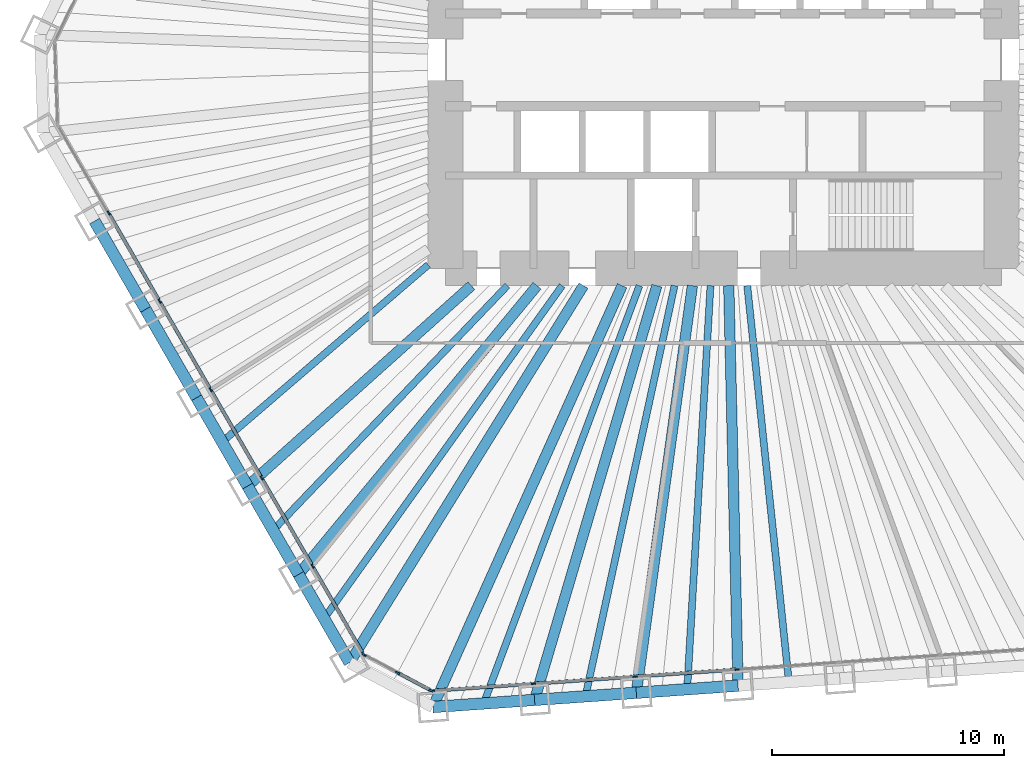
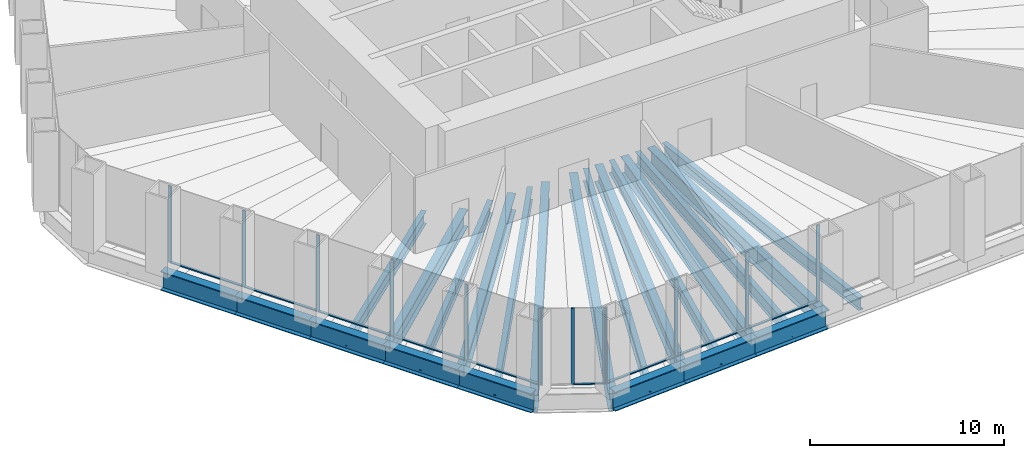
# One storey, part 2 of 13: 22 beams, 22 members, 3 elements without a shape of their own.
"""IFC4 building model written with IfcOpenShell, lengths in metres."""

from ifc_helpers import new_model, si_unit, direction, frame, origin, origin_2d, place, context, subcontext, project, spatial, rectangle, i_section, extrude, material, material_profile, profile_set, type_object, element, aggregate, save


model = new_model("IFC4")

# Units and contexts
model_context = context("Model", 3, precision=1e-05, world=origin(), true_north=direction((0.0, 1.0)))
body_context = subcontext(model_context, "Body", "Model", "MODEL_VIEW")
ifc_project = project(units=[si_unit("LENGTHUNIT", "METRE"), si_unit("AREAUNIT", "SQUARE_METRE"), si_unit("VOLUMEUNIT", "CUBIC_METRE"), si_unit("PLANEANGLEUNIT", "RADIAN"), si_unit("MASSUNIT", "GRAM", prefix="KILO")], contexts=[model_context])

# Site, building, storey
site_placement = place(None, origin())
site = spatial("IfcSite", under=ifc_project, at=site_placement, CompositionType="ELEMENT")
building_placement = place(site_placement, origin())
building = spatial("IfcBuilding", under=site, at=building_placement, Name="Qingtian Harvest Tower", CompositionType="ELEMENT")
storey_placement = place(building_placement, frame((0.0, 0.0, 87.0)))
storey = spatial("IfcBuildingStorey", under=building, at=storey_placement, Name="L17", CompositionType="ELEMENT", Elevation=87.0)

# Beams
ifc_material_1 = material(Name="Steel SM570MC", Category="steel")
ifc_material_profile_1 = material_profile(ifc_material_1, i_section(OverallWidth=0.449951171875, OverallDepth=1.10009765625, WebThickness=0.02197265625, FlangeThickness=0.044921875, at=origin_2d()), Name="H1100x450x22x45")
ifc_profile_set_1 = profile_set([ifc_material_profile_1], Name="Steel SM570MC")
beam_type_1 = type_object("IfcBeamType", Name="Corner floor beam FB8 H1100x450x22x45", PredefinedType="BEAM", material=ifc_profile_set_1)
beam_1_placement = place(storey_placement, frame((-12.552734375, -27.943603515625, -0.75), z_axis=(0.409769605538, 0.912189054077, 0.0), x_axis=(-0.912189054077, 0.409769605538, 0.0)))
element("IfcBeam", 1, at=beam_1_placement, inside=storey, type_object=beam_type_1, Name="Floor beam FB8 S6", PredefinedType="BEAM", context=body_context, shape_type="SweptSolid", body=[
    extrude(i_section(OverallWidth=0.449951171875, OverallDepth=1.10009765625, WebThickness=0.02197265625, FlangeThickness=0.044921875, at=origin_2d()), origin(), (0.0, 0.0, 1.0), 19.945068359375),
])
beam_2_placement = place(storey_placement, frame((-16.14697265625, -26.03271484375, -0.75), z_axis=(0.5270935495, 0.849807266429, 0.0), x_axis=(-0.849807266429, 0.5270935495, 0.0)))
element("IfcBeam", 2, at=beam_2_placement, inside=storey, type_object=beam_type_1, Name="Floor beam FB8 SW0", PredefinedType="BEAM", context=body_context, shape_type="SweptSolid", body=[
    extrude(i_section(OverallWidth=0.449951171875, OverallDepth=1.10009765625, WebThickness=0.02197265625, FlangeThickness=0.044921875, at=origin_2d()), origin(), (0.0, 0.0, 1.0), 19.160400390625),
])
ifc_material_2 = material(Name="Steel SM570MC", Category="steel")
ifc_material_profile_2 = material_profile(ifc_material_2, i_section(OverallWidth=0.449951171875, OverallDepth=1.10009765625, WebThickness=0.02197265625, FlangeThickness=0.044921875, at=origin_2d()), Name="H1100x450x22x45")
ifc_profile_set_2 = profile_set([ifc_material_profile_2], Name="Steel SM570MC")
beam_type_2 = type_object("IfcBeamType", Name="Floor beam FB1 H1100x450x22x45", PredefinedType="BEAM", material=ifc_profile_set_2)
beam_3_placement = place(storey_placement, frame((0.62890625, -27.02197265625, -0.75), z_axis=(-0.023274161941, 0.999729120005, 0.0), x_axis=(-0.999729120005, -0.023274161941, 0.0)))
element("IfcBeam", 3, at=beam_3_placement, inside=storey, type_object=beam_type_2, Name="Floor beam FB1 S3", PredefinedType="BEAM", context=body_context, shape_type="SweptSolid", body=[
    extrude(i_section(OverallWidth=0.449951171875, OverallDepth=1.10009765625, WebThickness=0.02197265625, FlangeThickness=0.044921875, at=origin_2d()), origin(), (0.0, 0.0, 1.0), 17.276611328125),
])
beam_4_placement = place(storey_placement, frame((-3.76513671875, -27.3291015625, -0.75), z_axis=(0.136480966577, 0.990642693287, 0.0), x_axis=(-0.990642693287, 0.136480966577, 0.0)))
element("IfcBeam", 4, at=beam_4_placement, inside=storey, type_object=beam_type_2, Name="Floor beam FB1 S4", PredefinedType="BEAM", context=body_context, shape_type="SweptSolid", body=[
    extrude(i_section(OverallWidth=0.449951171875, OverallDepth=1.10009765625, WebThickness=0.02197265625, FlangeThickness=0.044921875, at=origin_2d()), origin(), (0.0, 0.0, 1.0), 17.7451171875),
])
beam_5_placement = place(storey_placement, frame((-8.158935546875, -27.636474609375, -0.75), z_axis=(0.283142824758, 0.95907775534, 0.0), x_axis=(-0.95907775534, 0.283142824758, 0.0)))
element("IfcBeam", 5, at=beam_5_placement, inside=storey, type_object=beam_type_2, Name="Floor beam FB1 S5", PredefinedType="BEAM", context=body_context, shape_type="SweptSolid", body=[
    extrude(i_section(OverallWidth=0.449951171875, OverallDepth=1.10009765625, WebThickness=0.02197265625, FlangeThickness=0.044921875, at=origin_2d()), origin(), (0.0, 0.0, 1.0), 18.649658203125),
])
beam_6_placement = place(storey_placement, frame((-18.349365234375, -22.21826171875, -0.75), z_axis=(0.636780387972, 0.771045224026, 0.0), x_axis=(-0.771045224026, 0.636780387972, 0.0)))
element("IfcBeam", 6, at=beam_6_placement, inside=storey, type_object=beam_type_2, Name="Floor beam FB1 SW1", PredefinedType="BEAM", context=body_context, shape_type="SweptSolid", body=[
    extrude(i_section(OverallWidth=0.449951171875, OverallDepth=1.10009765625, WebThickness=0.02197265625, FlangeThickness=0.044921875, at=origin_2d()), origin(), (0.0, 0.0, 1.0), 16.170654296875),
])
beam_7_placement = place(storey_placement, frame((-20.551513671875, -18.403564453125, -0.75), z_axis=(0.744965104975, 0.667103434536, 0.0), x_axis=(-0.667103434536, 0.744965104975, 0.0)))
element("IfcBeam", 7, at=beam_7_placement, inside=storey, type_object=beam_type_2, Name="Floor beam FB1 SW2", PredefinedType="BEAM", context=body_context, shape_type="SweptSolid", body=[
    extrude(i_section(OverallWidth=0.449951171875, OverallDepth=1.10009765625, WebThickness=0.02197265625, FlangeThickness=0.044921875, at=origin_2d()), origin(), (0.0, 0.0, 1.0), 12.971923828125),
])
ifc_material_3 = material(Name="Steel SN490B", Category="steel")
ifc_material_profile_3 = material_profile(ifc_material_3, i_section(OverallWidth=0.300048828125, OverallDepth=0.800048828125, WebThickness=0.013916015625, FlangeThickness=0.02587890625, at=origin_2d()), Name="H800x300x14x26")
ifc_profile_set_3 = profile_set([ifc_material_profile_3], Name="Steel SN490B")
beam_type_3 = type_object("IfcBeamType", Name="Floor joist J1 H800x300x14x26", PredefinedType="JOIST", material=ifc_profile_set_3)
beam_8_placement = place(storey_placement, frame((2.82568359375, -26.868408203125, -0.60009765625), z_axis=(-0.104590278152, 0.99451539642, 0.0), x_axis=(-0.99451539642, -0.104590278152, 0.0)))
element("IfcBeam", 8, at=beam_8_placement, inside=storey, type_object=beam_type_3, Name="Floor joist J1 S2", PredefinedType="JOIST", context=body_context, shape_type="SweptSolid", body=[
    extrude(i_section(OverallWidth=0.300048828125, OverallDepth=0.800048828125, WebThickness=0.013916015625, FlangeThickness=0.02587890625, at=origin_2d()), origin(), (0.0, 0.0, 1.0), 17.212890625),
])
beam_9_placement = place(storey_placement, frame((-1.568115234375, -27.175537109375, -0.60009765625), z_axis=(0.057613424947, 0.998338967118, 0.0), x_axis=(-0.998338967118, 0.057613424947, 0.0)))
element("IfcBeam", 9, at=beam_9_placement, inside=storey, type_object=beam_type_3, Name="Floor joist J1 S3", PredefinedType="JOIST", context=body_context, shape_type="SweptSolid", body=[
    extrude(i_section(OverallWidth=0.300048828125, OverallDepth=0.800048828125, WebThickness=0.013916015625, FlangeThickness=0.02587890625, at=origin_2d()), origin(), (0.0, 0.0, 1.0), 17.45458984375),
])
beam_10_placement = place(storey_placement, frame((-5.9619140625, -27.48291015625, -0.60009765625), z_axis=(0.211992805661, 0.977271226604, 0.0), x_axis=(-0.977271226604, 0.211992805661, 0.0)))
element("IfcBeam", 10, at=beam_10_placement, inside=storey, type_object=beam_type_3, Name="Floor joist J1 S4", PredefinedType="JOIST", context=body_context, shape_type="SweptSolid", body=[
    extrude(i_section(OverallWidth=0.300048828125, OverallDepth=0.800048828125, WebThickness=0.013916015625, FlangeThickness=0.02587890625, at=origin_2d()), origin(), (0.0, 0.0, 1.0), 18.145263671875),
])
beam_11_placement = place(storey_placement, frame((-10.35595703125, -27.7900390625, -0.60009765625), z_axis=(0.349193741063, 0.937050548905, 0.0), x_axis=(-0.937050548905, 0.349193741063, 0.0)))
element("IfcBeam", 11, at=beam_11_placement, inside=storey, type_object=beam_type_3, Name="Floor joist J1 S5", PredefinedType="JOIST", context=body_context, shape_type="SweptSolid", body=[
    extrude(i_section(OverallWidth=0.300048828125, OverallDepth=0.800048828125, WebThickness=0.013916015625, FlangeThickness=0.02587890625, at=origin_2d()), origin(), (0.0, 0.0, 1.0), 19.251953125),
])
beam_12_placement = place(storey_placement, frame((-17.248046875, -24.12548828125, -0.60009765625), z_axis=(0.581580544546, 0.81348882611, 0.0), x_axis=(-0.81348882611, 0.581580544546, 0.0)))
element("IfcBeam", 12, at=beam_12_placement, inside=storey, type_object=beam_type_3, Name="Floor joist J1 SW0", PredefinedType="JOIST", context=body_context, shape_type="SweptSolid", body=[
    extrude(i_section(OverallWidth=0.300048828125, OverallDepth=0.800048828125, WebThickness=0.013916015625, FlangeThickness=0.02587890625, at=origin_2d()), origin(), (0.0, 0.0, 1.0), 17.67138671875),
])
beam_13_placement = place(storey_placement, frame((-19.450439453125, -20.31103515625, -0.60009765625), z_axis=(0.691639144398, 0.722243237377, 0.0), x_axis=(-0.722243237377, 0.691639144398, 0.0)))
element("IfcBeam", 13, at=beam_13_placement, inside=storey, type_object=beam_type_3, Name="Floor joist J1 SW1", PredefinedType="JOIST", context=body_context, shape_type="SweptSolid", body=[
    extrude(i_section(OverallWidth=0.300048828125, OverallDepth=0.800048828125, WebThickness=0.013916015625, FlangeThickness=0.02587890625, at=origin_2d()), origin(), (0.0, 0.0, 1.0), 14.62255859375),
])
beam_14_placement = place(storey_placement, frame((-21.652587890625, -16.496337890625, -0.60009765625), z_axis=(0.758605680154, 0.651550014994, 0.0), x_axis=(-0.651550014994, 0.758605680154, 0.0)))
element("IfcBeam", 14, at=beam_14_placement, inside=storey, type_object=beam_type_3, Name="Floor joist J1 SW2", PredefinedType="JOIST", context=body_context, shape_type="SweptSolid", body=[
    extrude(i_section(OverallWidth=0.300048828125, OverallDepth=0.800048828125, WebThickness=0.013916015625, FlangeThickness=0.02587890625, at=origin_2d()), origin(), (0.0, 0.0, 1.0), 11.7353515625),
])

# Curtain wall, members
ifc_material_4 = material(Name="Bronze-anodised aluminium curtain wall", Category="aluminium")
curtain_wall_type = type_object("IfcCurtainWallType", Name="Curtain wall CW2 farm reception", PredefinedType="USERDEFINED", material=ifc_material_4)
curtain_wall_1_placement = place(storey_placement, origin())
curtain_wall_1 = element("IfcCurtainWall", 15, at=curtain_wall_1_placement, inside=storey, type_object=curtain_wall_type, Name="Curtain wall CW2 L17 S0-5", ObjectType="RECESSED CURTAIN WALL", PredefinedType="USERDEFINED")
ifc_material_5 = material(Name="Bronze-anodised aluminium mullion", Category="aluminium")
ifc_material_profile_4 = material_profile(ifc_material_5, rectangle(XDim=0.06494140625, YDim=0.199951171875, at=origin_2d()), Name="AL 65x200")
ifc_profile_set_4 = profile_set([ifc_material_profile_4], Name="Bronze-anodised aluminium mullion")
member_type_1 = type_object("IfcMemberType", Name="Mullion CWM 65x200", PredefinedType="MULLION", material=ifc_profile_set_4)
member_1_placement = place(storey_placement, frame((0.580078125, -26.32373046875, 0.0), z_axis=(0.0, 0.0, 1.0), x_axis=(0.069756473744, -0.99756405026, 0.0)))
member_1 = element("IfcMember", 16, at=member_1_placement, type_object=member_type_1, Name="CW2 mullion 4", PredefinedType="MULLION", context=body_context, shape_type="SweptSolid", body=[
    extrude(rectangle(XDim=0.06494140625, YDim=0.199951171875, at=origin_2d()), origin(), (0.0, 0.0, 1.0), 4.800048828125),
])
member_2_placement = place(storey_placement, frame((-3.81396484375, -26.630859375, 0.0), z_axis=(0.0, 0.0, 1.0), x_axis=(0.069756473744, -0.99756405026, 0.0)))
member_2 = element("IfcMember", 17, at=member_2_placement, type_object=member_type_1, Name="CW2 mullion 5", PredefinedType="MULLION", context=body_context, shape_type="SweptSolid", body=[
    extrude(rectangle(XDim=0.06494140625, YDim=0.199951171875, at=origin_2d()), origin(), (0.0, 0.0, 1.0), 4.800048828125),
])
member_3_placement = place(storey_placement, frame((-8.207763671875, -26.938232421875, 0.0), z_axis=(0.0, 0.0, 1.0), x_axis=(0.069756473744, -0.99756405026, 0.0)))
member_3 = element("IfcMember", 18, at=member_3_placement, type_object=member_type_1, Name="CW2 mullion 6", PredefinedType="MULLION", context=body_context, shape_type="SweptSolid", body=[
    extrude(rectangle(XDim=0.06494140625, YDim=0.199951171875, at=origin_2d()), origin(), (0.0, 0.0, 1.0), 4.800048828125),
])
member_4_placement = place(storey_placement, frame((-12.569091796875, -27.2431640625, 0.0), z_axis=(0.0, 0.0, 1.0), x_axis=(0.069756473744, -0.99756405026, 0.0)))
member_4 = element("IfcMember", 19, at=member_4_placement, type_object=member_type_1, Name="CW2 mullion 7", PredefinedType="MULLION", context=body_context, shape_type="SweptSolid", body=[
    extrude(rectangle(XDim=0.06494140625, YDim=0.199951171875, at=origin_2d()), origin(), (0.0, 0.0, 1.0), 4.800048828125),
])

curtain_wall_2_placement = place(storey_placement, origin())
curtain_wall_2 = element("IfcCurtainWall", 20, at=curtain_wall_2_placement, inside=storey, type_object=curtain_wall_type, Name="Curtain wall CW2 L17 SC", ObjectType="RECESSED CURTAIN WALL", PredefinedType="USERDEFINED")
member_5_placement = place(storey_placement, frame((-12.63037109375, -27.230224609375, 0.0), z_axis=(0.0, 0.0, 1.0), x_axis=(-0.469471562786, -0.882947592859, 0.0)))
member_5 = element("IfcMember", 21, at=member_5_placement, type_object=member_type_1, Name="CW2 mullion 1", PredefinedType="MULLION", context=body_context, shape_type="SweptSolid", body=[
    extrude(rectangle(XDim=0.06494140625, YDim=0.199951171875, at=origin_2d()), origin(), (0.0, 0.0, 1.0), 4.800048828125),
])
member_6_placement = place(storey_placement, frame((-14.0712890625, -26.464111328125, 0.0), z_axis=(0.0, 0.0, 1.0), x_axis=(-0.469471562786, -0.882947592859, 0.0)))
member_6 = element("IfcMember", 22, at=member_6_placement, type_object=member_type_1, Name="CW2 mullion 2", PredefinedType="MULLION", context=body_context, shape_type="SweptSolid", body=[
    extrude(rectangle(XDim=0.06494140625, YDim=0.199951171875, at=origin_2d()), origin(), (0.0, 0.0, 1.0), 4.800048828125),
])
member_7_placement = place(storey_placement, frame((-15.511962890625, -25.697998046875, 0.0), z_axis=(0.0, 0.0, 1.0), x_axis=(-0.469471562786, -0.882947592859, 0.0)))
member_7 = element("IfcMember", 23, at=member_7_placement, type_object=member_type_1, Name="CW2 mullion 3", PredefinedType="MULLION", context=body_context, shape_type="SweptSolid", body=[
    extrude(rectangle(XDim=0.06494140625, YDim=0.199951171875, at=origin_2d()), origin(), (0.0, 0.0, 1.0), 4.800048828125),
])

curtain_wall_3_placement = place(storey_placement, origin())
curtain_wall_3 = element("IfcCurtainWall", 24, at=curtain_wall_3_placement, inside=storey, type_object=curtain_wall_type, Name="Curtain wall CW2 L17 SW0-5", ObjectType="RECESSED CURTAIN WALL", PredefinedType="USERDEFINED")
member_8_placement = place(storey_placement, frame((-15.556884765625, -25.654541015625, 0.0), z_axis=(0.0, 0.0, 1.0), x_axis=(-0.866025403784, -0.5, 0.0)))
member_8 = element("IfcMember", 25, at=member_8_placement, type_object=member_type_1, Name="CW2 mullion 1", PredefinedType="MULLION", context=body_context, shape_type="SweptSolid", body=[
    extrude(rectangle(XDim=0.06494140625, YDim=0.199951171875, at=origin_2d()), origin(), (0.0, 0.0, 1.0), 4.800048828125),
])
member_9_placement = place(storey_placement, frame((-17.742919921875, -21.8681640625, 0.0), z_axis=(0.0, 0.0, 1.0), x_axis=(-0.866025403784, -0.5, 0.0)))
member_9 = element("IfcMember", 26, at=member_9_placement, type_object=member_type_1, Name="CW2 mullion 2", PredefinedType="MULLION", context=body_context, shape_type="SweptSolid", body=[
    extrude(rectangle(XDim=0.06494140625, YDim=0.199951171875, at=origin_2d()), origin(), (0.0, 0.0, 1.0), 4.800048828125),
])
member_10_placement = place(storey_placement, frame((-19.9453125, -18.0537109375, 0.0), z_axis=(0.0, 0.0, 1.0), x_axis=(-0.866025403784, -0.5, 0.0)))
member_10 = element("IfcMember", 27, at=member_10_placement, type_object=member_type_1, Name="CW2 mullion 3", PredefinedType="MULLION", context=body_context, shape_type="SweptSolid", body=[
    extrude(rectangle(XDim=0.06494140625, YDim=0.199951171875, at=origin_2d()), origin(), (0.0, 0.0, 1.0), 4.800048828125),
])
member_11_placement = place(storey_placement, frame((-22.147705078125, -14.2392578125, 0.0), z_axis=(0.0, 0.0, 1.0), x_axis=(-0.866025403784, -0.5, 0.0)))
member_11 = element("IfcMember", 28, at=member_11_placement, type_object=member_type_1, Name="CW2 mullion 4", PredefinedType="MULLION", context=body_context, shape_type="SweptSolid", body=[
    extrude(rectangle(XDim=0.06494140625, YDim=0.199951171875, at=origin_2d()), origin(), (0.0, 0.0, 1.0), 4.800048828125),
])
member_12_placement = place(storey_placement, frame((-24.349853515625, -10.424560546875, 0.0), z_axis=(0.0, 0.0, 1.0), x_axis=(-0.866025403784, -0.5, 0.0)))
member_12 = element("IfcMember", 29, at=member_12_placement, type_object=member_type_1, Name="CW2 mullion 5", PredefinedType="MULLION", context=body_context, shape_type="SweptSolid", body=[
    extrude(rectangle(XDim=0.06494140625, YDim=0.199951171875, at=origin_2d()), origin(), (0.0, 0.0, 1.0), 4.800048828125),
])
member_13_placement = place(storey_placement, frame((-26.55224609375, -6.610107421875, 0.0), z_axis=(0.0, 0.0, 1.0), x_axis=(-0.866025403784, -0.5, 0.0)))
member_13 = element("IfcMember", 30, at=member_13_placement, type_object=member_type_1, Name="CW2 mullion 6", PredefinedType="MULLION", context=body_context, shape_type="SweptSolid", body=[
    extrude(rectangle(XDim=0.06494140625, YDim=0.199951171875, at=origin_2d()), origin(), (0.0, 0.0, 1.0), 4.800048828125),
])

# Beams
ifc_material_6 = material(Name="Steel SM570MC", Category="steel")
ifc_material_profile_5 = material_profile(ifc_material_6, i_section(OverallWidth=0.5, OverallDepth=1.199951171875, WebThickness=0.02490234375, FlangeThickness=0.050048828125, at=origin_2d()), Name="H1200x500x25x50")
ifc_profile_set_5 = profile_set([ifc_material_profile_5], Name="Steel SM570MC")
beam_type_4 = type_object("IfcBeamType", Name="Spandrel beam SB1 H1200x500x25x50", PredefinedType="SPANDREL", material=ifc_profile_set_5)
beam_15_placement = place(storey_placement, frame((0.62890625, -27.02197265625, -0.60009765625), z_axis=(-0.997566143208, -0.069726536735, 0.0), x_axis=(0.069726536735, -0.997566143208, 0.0)))
element("IfcBeam", 31, at=beam_15_placement, inside=storey, type_object=beam_type_4, Name="Spandrel SB1 S3", PredefinedType="SPANDREL", context=body_context, shape_type="SweptSolid", body=[
    extrude(i_section(OverallWidth=0.5, OverallDepth=1.199951171875, WebThickness=0.02490234375, FlangeThickness=0.050048828125, at=origin_2d()), origin(), (0.0, 0.0, 1.0), 4.40478515625),
])
for number, where, z_axis, x_axis, name in (
    (32, (-3.76513671875, -27.3291015625, -0.60009765625), (-0.997562016486, -0.069785551967, 0.0), (0.069785551967, -0.997562016486, 0.0), "Spandrel SB1 S4"),
    (33, (-8.158935546875, -27.636474609375, -0.60009765625), (-0.997565873714, -0.069730392239, 0.0), (0.069730392239, -0.997565873714, 0.0), "Spandrel SB1 S5"),
    (34, (-16.14697265625, -26.03271484375, -0.60009765625), (-0.50001992892, 0.866013897511, 0.0), (-0.866013897511, -0.50001992892, 0.0), "Spandrel SB1 SW0"),
):
    element("IfcBeam", number, at=place(storey_placement, frame(where, z_axis=z_axis, x_axis=x_axis)), inside=storey, type_object=beam_type_4, Name=name, PredefinedType="SPANDREL", context=body_context, shape_type="SweptSolid", body=[
        extrude(i_section(OverallWidth=0.5, OverallDepth=1.199951171875, WebThickness=0.02490234375, FlangeThickness=0.050048828125, at=origin_2d()), origin(), (0.0, 0.0, 1.0), 4.404541015625),
    ])
beam_16_placement = place(storey_placement, frame((-18.349365234375, -22.21826171875, -0.60009765625), z_axis=(-0.499954356739, 0.86605175433, 0.0), x_axis=(-0.86605175433, -0.499954356739, 0.0)))
element("IfcBeam", 35, at=beam_16_placement, inside=storey, type_object=beam_type_4, Name="Spandrel SB1 SW1", PredefinedType="SPANDREL", context=body_context, shape_type="SweptSolid", body=[
    extrude(i_section(OverallWidth=0.5, OverallDepth=1.199951171875, WebThickness=0.02490234375, FlangeThickness=0.050048828125, at=origin_2d()), origin(), (0.0, 0.0, 1.0), 4.40478515625),
])
for number, where, z_axis, x_axis, name in (
    (36, (-20.551513671875, -18.403564453125, -0.60009765625), (-0.50001992892, 0.866013897511, 0.0), (-0.866013897511, -0.50001992892, 0.0), "Spandrel SB1 SW2"),
    (37, (-22.75390625, -14.589111328125, -0.60009765625), (-0.499978356969, 0.866037899034, 0.0), (-0.866037899034, -0.499978356969, 0.0), "Spandrel SB1 SW3"),
    (38, (-24.9560546875, -10.774658203125, -0.60009765625), (-0.50001992892, 0.866013897511, 0.0), (-0.866013897511, -0.50001992892, 0.0), "Spandrel SB1 SW4"),
):
    element("IfcBeam", number, at=place(storey_placement, frame(where, z_axis=z_axis, x_axis=x_axis)), inside=storey, type_object=beam_type_4, Name=name, PredefinedType="SPANDREL", context=body_context, shape_type="SweptSolid", body=[
        extrude(i_section(OverallWidth=0.5, OverallDepth=1.199951171875, WebThickness=0.02490234375, FlangeThickness=0.050048828125, at=origin_2d()), origin(), (0.0, 0.0, 1.0), 4.404541015625),
    ])

# Member
ifc_material_7 = material(Name="Bronze-anodised aluminium transom", Category="aluminium")
ifc_material_profile_6 = material_profile(ifc_material_7, rectangle(XDim=0.14990234375, YDim=0.06494140625, at=origin_2d()), Name="AL 65x150")
ifc_profile_set_6 = profile_set([ifc_material_profile_6], Name="Bronze-anodised aluminium transom")
member_type_2 = type_object("IfcMemberType", Name="Transom CWT 65x150", PredefinedType="USERDEFINED", material=ifc_profile_set_6)
member_14_placement = place(storey_placement, frame((0.547607421875, -26.325927734375, 0.032470703125), z_axis=(-0.997563824095, -0.069759707979, 0.0), x_axis=(0.069759707979, -0.997563824095, 0.0)))
member_14 = element("IfcMember", 39, at=member_14_placement, type_object=member_type_2, Name="CW2 transom 4.1", ObjectType="TRANSOM", PredefinedType="USERDEFINED", context=body_context, shape_type="SweptSolid", body=[
    extrude(rectangle(XDim=0.14990234375, YDim=0.06494140625, at=origin_2d()), origin(), (0.0, 0.0, 1.0), 4.339599609375),
])

member_15_placement = place(storey_placement, frame((-3.84619140625, -26.63330078125, 0.032470703125), z_axis=(-0.997567737508, -0.069703723594, 0.0), x_axis=(0.069703723594, -0.997567737508, 0.0)))
member_15 = element("IfcMember", 40, at=member_15_placement, type_object=member_type_2, Name="CW2 transom 5.1", ObjectType="TRANSOM", PredefinedType="USERDEFINED", context=body_context, shape_type="SweptSolid", body=[
    extrude(rectangle(XDim=0.14990234375, YDim=0.06494140625, at=origin_2d()), origin(), (0.0, 0.0, 1.0), 4.339599609375),
])

member_16_placement = place(storey_placement, frame((-8.240234375, -26.9404296875, 0.032470703125), z_axis=(-0.997562637827, -0.069776669536, 0.0), x_axis=(0.069776669536, -0.997562637827, 0.0)))
member_16 = element("IfcMember", 41, at=member_16_placement, type_object=member_type_2, Name="CW2 transom 6.1", ObjectType="TRANSOM", PredefinedType="USERDEFINED", context=body_context, shape_type="SweptSolid", body=[
    extrude(rectangle(XDim=0.14990234375, YDim=0.06494140625, at=origin_2d()), origin(), (0.0, 0.0, 1.0), 4.30712890625),
])

aggregate(curtain_wall_1, [member_1, member_2, member_3, member_4, member_14, member_15, member_16])

member_17_placement = place(storey_placement, frame((-12.658935546875, -27.21484375, 0.032470703125), z_axis=(-0.882960338349, 0.46944759122, 0.0), x_axis=(-0.46944759122, -0.882960338349, 0.0)))
member_17 = element("IfcMember", 42, at=member_17_placement, type_object=member_type_2, Name="CW2 transom 1.1", ObjectType="TRANSOM", PredefinedType="USERDEFINED", context=body_context, shape_type="SweptSolid", body=[
    extrude(rectangle(XDim=0.14990234375, YDim=0.06494140625, at=origin_2d()), origin(), (0.0, 0.0, 1.0), 1.56689453125),
])

aggregate(curtain_wall_2, [member_5, member_6, member_7, member_17])

member_18_placement = place(storey_placement, frame((-15.5732421875, -25.62646484375, 0.032470703125), z_axis=(-0.499985768833, 0.866033619997, 0.0), x_axis=(-0.866033619997, -0.499985768833, 0.0)))
member_18 = element("IfcMember", 43, at=member_18_placement, type_object=member_type_2, Name="CW2 transom 1.1", ObjectType="TRANSOM", PredefinedType="USERDEFINED", context=body_context, shape_type="SweptSolid", body=[
    extrude(rectangle(XDim=0.14990234375, YDim=0.06494140625, at=origin_2d()), origin(), (0.0, 0.0, 1.0), 4.307373046875),
])

member_19_placement = place(storey_placement, frame((-17.75927734375, -21.840087890625, 0.032470703125), z_axis=(-0.500011390128, 0.866018827591, 0.0), x_axis=(-0.866018827591, -0.500011390128, 0.0)))
member_19 = element("IfcMember", 44, at=member_19_placement, type_object=member_type_2, Name="CW2 transom 2.1", ObjectType="TRANSOM", PredefinedType="USERDEFINED", context=body_context, shape_type="SweptSolid", body=[
    extrude(rectangle(XDim=0.14990234375, YDim=0.06494140625, at=origin_2d()), origin(), (0.0, 0.0, 1.0), 4.33984375),
])

member_20_placement = place(storey_placement, frame((-19.961669921875, -18.025634765625, 0.032470703125), z_axis=(-0.499969196308, 0.866043187574, 0.0), x_axis=(-0.866043187574, -0.499969196308, 0.0)))
member_20 = element("IfcMember", 45, at=member_20_placement, type_object=member_type_2, Name="CW2 transom 3.1", ObjectType="TRANSOM", PredefinedType="USERDEFINED", context=body_context, shape_type="SweptSolid", body=[
    extrude(rectangle(XDim=0.14990234375, YDim=0.06494140625, at=origin_2d()), origin(), (0.0, 0.0, 1.0), 4.339599609375),
])

member_21_placement = place(storey_placement, frame((-22.163818359375, -14.2109375, 0.032470703125), z_axis=(-0.500035751442, 0.866004761696, 0.0), x_axis=(-0.866004761696, -0.500035751442, 0.0)))
member_21 = element("IfcMember", 46, at=member_21_placement, type_object=member_type_2, Name="CW2 transom 4.1", ObjectType="TRANSOM", PredefinedType="USERDEFINED", context=body_context, shape_type="SweptSolid", body=[
    extrude(rectangle(XDim=0.14990234375, YDim=0.06494140625, at=origin_2d()), origin(), (0.0, 0.0, 1.0), 4.339599609375),
])

member_22_placement = place(storey_placement, frame((-24.3662109375, -10.396484375, 0.032470703125), z_axis=(-0.499993556937, 0.866029123656, 0.0), x_axis=(-0.866029123656, -0.499993556937, 0.0)))
member_22 = element("IfcMember", 47, at=member_22_placement, type_object=member_type_2, Name="CW2 transom 5.1", ObjectType="TRANSOM", PredefinedType="USERDEFINED", context=body_context, shape_type="SweptSolid", body=[
    extrude(rectangle(XDim=0.14990234375, YDim=0.06494140625, at=origin_2d()), origin(), (0.0, 0.0, 1.0), 4.33935546875),
])

aggregate(curtain_wall_3, [member_8, member_9, member_10, member_11, member_12, member_13, member_18, member_19, member_20, member_21, member_22])

save(model, "model.ifc")
